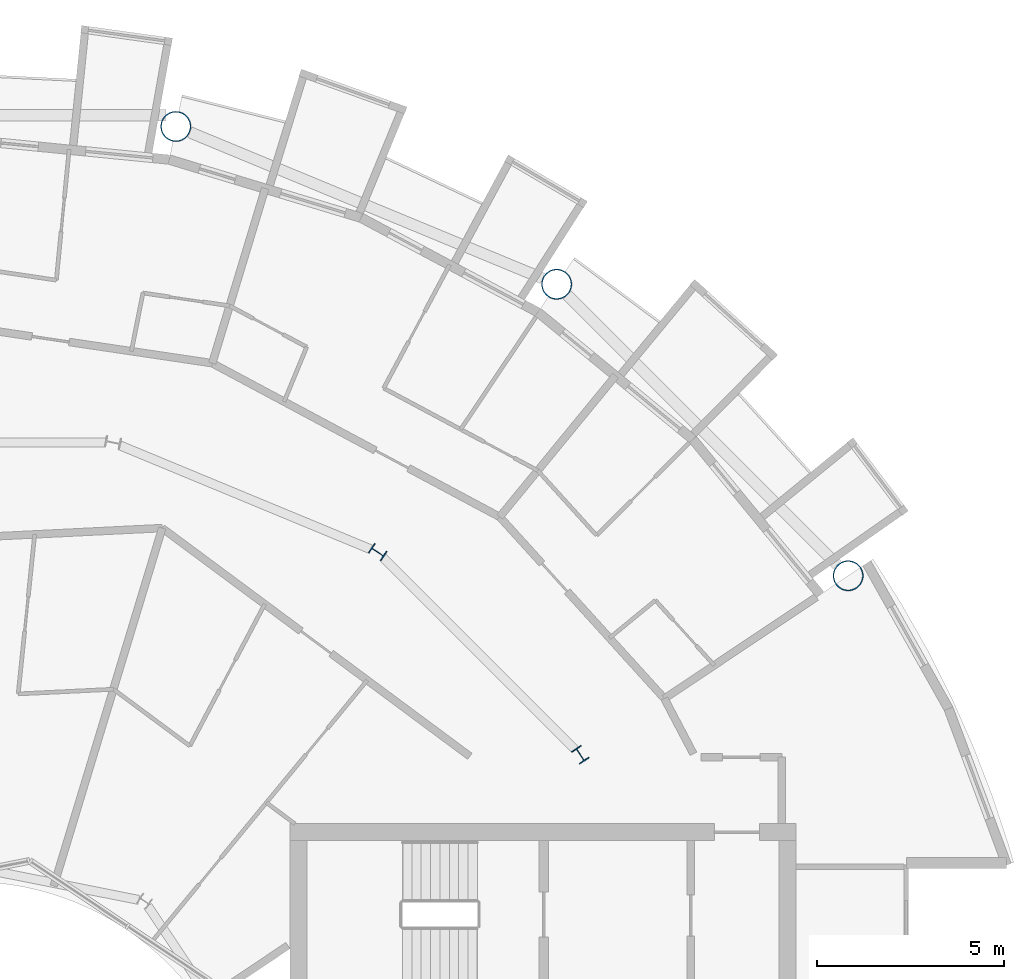
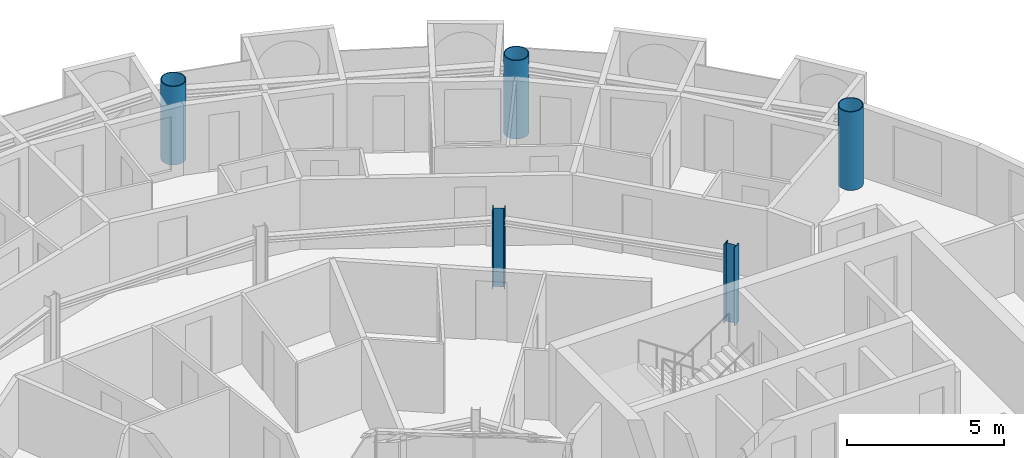
# One storey, part 5 of 29: 5 columns.
"""IFC4 building model written with IfcOpenShell, lengths in metres."""

from ifc_helpers import new_model, si_unit, direction, frame, origin, origin_2d, place, context, subcontext, project, spatial, hollow_circle, i_section, extrude, material, material_profile, profile_set, type_object, element, save


model = new_model("IFC4")

# Units and contexts
model_context = context("Model", 3, precision=1e-05, world=origin(), true_north=direction((0.0, 1.0)))
body_context = subcontext(model_context, "Body", "Model", "MODEL_VIEW")
ifc_project = project(units=[si_unit("LENGTHUNIT", "METRE"), si_unit("AREAUNIT", "SQUARE_METRE"), si_unit("VOLUMEUNIT", "CUBIC_METRE"), si_unit("PLANEANGLEUNIT", "RADIAN"), si_unit("MASSUNIT", "GRAM", prefix="KILO")], contexts=[model_context])

# Site, building, storey
site_placement = place(None, origin())
site = spatial("IfcSite", under=ifc_project, at=site_placement, CompositionType="ELEMENT")
building_placement = place(site_placement, origin())
building = spatial("IfcBuilding", under=site, at=building_placement, Name="Maasbend Ring Residences", CompositionType="ELEMENT")
storey_placement = place(building_placement, frame((0.0, 0.0, 205.449951171875)))
storey = spatial("IfcBuildingStorey", under=building, at=storey_placement, Name="L59", CompositionType="ELEMENT", Elevation=205.449951171875)

# Columns
ifc_material_1 = material(Name="Composite concrete-filled steel tube S460NH / C80/95", Category="concrete")
ifc_material_profile_1 = material_profile(ifc_material_1, hollow_circle(Radius=0.406494140625, WallThickness=0.030029296875, at=origin_2d()), Name="Composite tube column CHS 813x30")
ifc_profile_set_1 = profile_set([ifc_material_profile_1], Name="Composite concrete-filled steel tube S460NH / C80/95")
column_type_1 = type_object("IfcColumnType", Name="Composite tube column CHS 813x30", PredefinedType="COLUMN", material=ifc_profile_set_1)
for number, where, z_axis, x_axis, name in (
    (1, (23.447509765625, 15.6669921875, 0.0), (0.0, 0.0, 1.0), (1.0, 0.0, 0.0), "Outer column R2"),
    (2, (15.6669921875, 23.447509765625, 0.0), (0.0, 0.0, 1.0), (1.0, 0.0, 0.0), "Outer column R3"),
    (3, (5.50146484375, 27.658203125, 0.0), (0.0, 0.0, 1.0), (1.0, 0.0, 0.0), "Outer column R4"),
):
    element("IfcColumn", number, at=place(storey_placement, frame(where, z_axis=z_axis, x_axis=x_axis)), inside=storey, type_object=column_type_1, Name=name, PredefinedType="COLUMN", context=body_context, shape_type="SweptSolid", body=[
        extrude(hollow_circle(Radius=0.406494140625, WallThickness=0.030029296875, at=origin_2d()), origin(), (0.0, 0.0, 1.0), 3.050048828125),
    ])
ifc_material_2 = material(Name="Steel S355J2", Category="steel")
ifc_material_profile_2 = material_profile(ifc_material_2, i_section(OverallWidth=0.300048828125, OverallDepth=0.39990234375, WebThickness=0.013427734375, FlangeThickness=0.02392578125, FilletRadius=0.027099609375, at=origin_2d()), Name="HEB 400")
ifc_profile_set_2 = profile_set([ifc_material_profile_2], Name="Steel S355J2")
column_type_2 = type_object("IfcColumnType", Name="Steel column HEB 400", PredefinedType="COLUMN", material=ifc_profile_set_2)
for number, where, z_axis, x_axis, name in (
    (4, (16.296875, 10.88916015625, 0.0), (0.0, 0.0, 1.0), (0.831469612303, 0.55557023302, 0.0), "Corridor ring column R2"),
    (5, (10.88916015625, 16.296875, 0.0), (0.0, 0.0, 1.0), (0.55557023302, 0.831469612303, 0.0), "Corridor ring column R3"),
):
    element("IfcColumn", number, at=place(storey_placement, frame(where, z_axis=z_axis, x_axis=x_axis)), inside=storey, type_object=column_type_2, Name=name, PredefinedType="COLUMN", context=body_context, shape_type="SweptSolid", body=[
        extrude(i_section(OverallWidth=0.300048828125, OverallDepth=0.39990234375, WebThickness=0.013427734375, FlangeThickness=0.02392578125, FilletRadius=0.027099609375, at=origin_2d()), origin(), (0.0, 0.0, 1.0), 3.050048828125),
    ])

save(model, "model.ifc")
